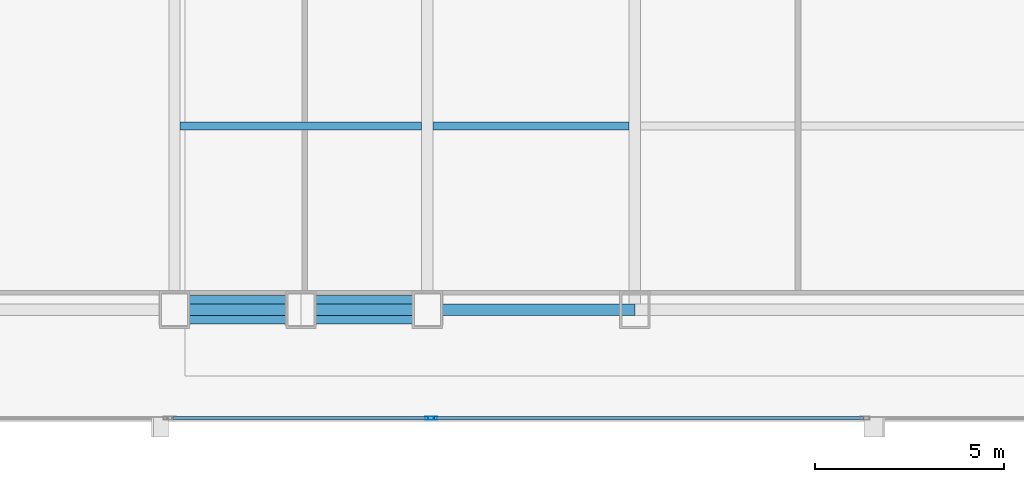
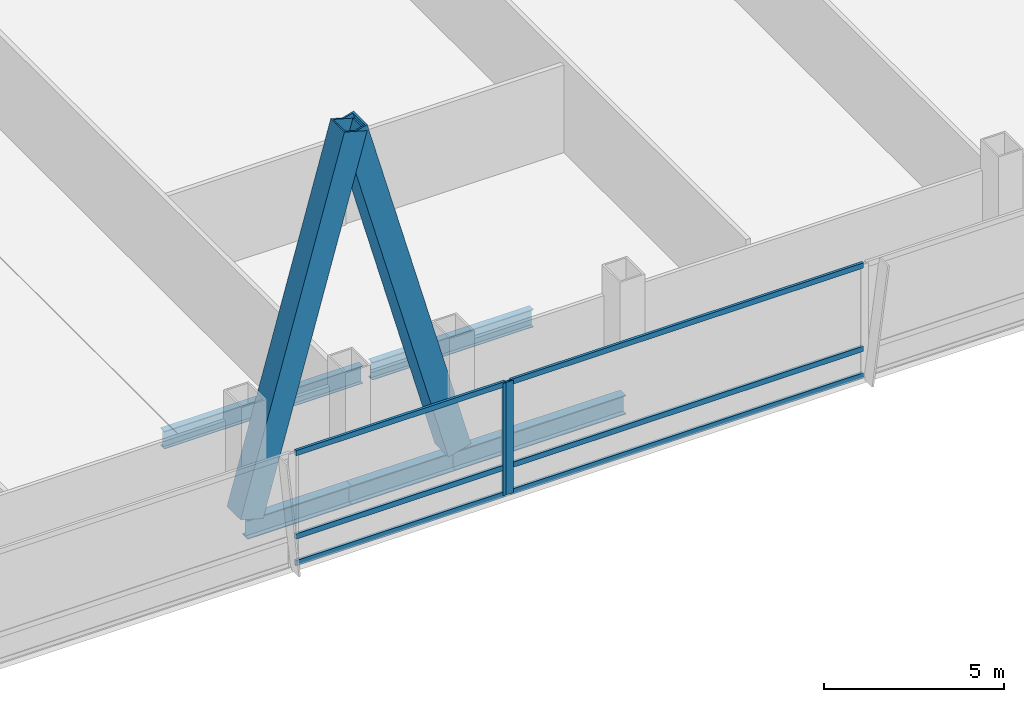
# One storey, part 8 of 37: 10 members, 5 beams, 2 elements without a shape of their own.
"""IFC4 building model written with IfcOpenShell, lengths in metres."""

from ifc_helpers import new_model, si_unit, direction, frame, origin, origin_2d, place, context, subcontext, project, spatial, hollow_rectangle, i_section, extrude, material, material_profile, profile_set, type_object, element, aggregate, save


model = new_model("IFC4")

# Units and contexts
model_context = context("Model", 3, precision=1e-05, world=origin(), true_north=direction((0.0, 1.0)))
body_context = subcontext(model_context, "Body", "Model", "MODEL_VIEW")
ifc_project = project(units=[si_unit("LENGTHUNIT", "METRE"), si_unit("AREAUNIT", "SQUARE_METRE"), si_unit("VOLUMEUNIT", "CUBIC_METRE"), si_unit("PLANEANGLEUNIT", "RADIAN"), si_unit("MASSUNIT", "GRAM", prefix="KILO")], contexts=[model_context])

# Site, building, storey
site_placement = place(None, origin())
site = spatial("IfcSite", under=ifc_project, at=site_placement, CompositionType="ELEMENT")
building_placement = place(site_placement, origin())
building = spatial("IfcBuilding", under=site, at=building_placement, Name="Khoronbel Lancet Exchange", CompositionType="ELEMENT")
storey_placement = place(building_placement, frame((0.0, 0.0, 61.800048828125)))
storey = spatial("IfcBuildingStorey", under=building, at=storey_placement, Name="L14", CompositionType="ELEMENT", Elevation=61.800048828125)

# Beams
ifc_material_1 = material(Name="Steel S355", Category="steel")
ifc_material_profile_1 = material_profile(ifc_material_1, i_section(OverallWidth=0.219970703125, OverallDepth=0.60009765625, WebThickness=0.011962890625, FlangeThickness=0.01904296875, at=origin_2d()), Name="IPE 600")
ifc_profile_set_1 = profile_set([ifc_material_profile_1], Name="Steel S355")
beam_type_1 = type_object("IfcBeamType", Name="BM-BJ1", PredefinedType="JOIST", material=ifc_profile_set_1)
beam_1_placement = place(storey_placement, frame((18.375, 15.0, -0.47998046875), z_axis=(1.0, 0.0, 0.0), x_axis=(0.0, 1.0, 0.0)))
element("IfcBeam", 1, at=beam_1_placement, inside=storey, type_object=beam_type_1, Name="Level L14 secondary composite joist J01", PredefinedType="JOIST", context=body_context, shape_type="SweptSolid", body=[
    extrude(i_section(OverallWidth=0.219970703125, OverallDepth=0.60009765625, WebThickness=0.011962890625, FlangeThickness=0.01904296875, at=origin_2d()), origin(), (0.0, 0.0, 1.0), 6.375),
])
beam_2_placement = place(storey_placement, frame((25.050048828125, 15.0, -0.47998046875), z_axis=(1.0, 0.0, 0.0), x_axis=(0.0, 1.0, 0.0)))
element("IfcBeam", 2, at=beam_2_placement, inside=storey, type_object=beam_type_1, Name="Level L14 secondary composite joist J02", PredefinedType="JOIST", context=body_context, shape_type="SweptSolid", body=[
    extrude(i_section(OverallWidth=0.219970703125, OverallDepth=0.60009765625, WebThickness=0.011962890625, FlangeThickness=0.01904296875, at=origin_2d()), origin(), (0.0, 0.0, 1.0), 5.175048828125),
])
ifc_material_profile_2 = material_profile(ifc_material_1, i_section(OverallWidth=0.300048828125, OverallDepth=0.64990234375, WebThickness=0.01611328125, FlangeThickness=0.031005859375, at=origin_2d()), Name="HEB 650")
ifc_profile_set_2 = profile_set([ifc_material_profile_2], Name="Steel S355")
beam_type_2 = type_object("IfcBeamType", Name="BM-BSP1", PredefinedType="SPANDREL", material=ifc_profile_set_2)
for number, where, z_axis, x_axis, name in (
    (3, (18.22509765625, 10.14990234375, -0.505126953125), (1.0, 0.0, 0.0), (0.0, 1.0, 0.0), "Level L14 perimeter spandrel beam SP02"),
    (4, (21.5625, 10.14990234375, -0.505126953125), (1.0, 0.0, 0.0), (0.0, 1.0, 0.0), "Level L14 perimeter spandrel beam SP03"),
):
    element("IfcBeam", number, at=place(storey_placement, frame(where, z_axis=z_axis, x_axis=x_axis)), inside=storey, type_object=beam_type_2, Name=name, PredefinedType="SPANDREL", context=body_context, shape_type="SweptSolid", body=[
        extrude(i_section(OverallWidth=0.300048828125, OverallDepth=0.64990234375, WebThickness=0.01611328125, FlangeThickness=0.031005859375, at=origin_2d()), origin(), (0.0, 0.0, 1.0), 3.33740234375),
    ])
beam_3_placement = place(storey_placement, frame((24.89990234375, 10.14990234375, -0.505126953125), z_axis=(1.0, 0.0, 0.0), x_axis=(0.0, 1.0, 0.0)))
element("IfcBeam", 5, at=beam_3_placement, inside=storey, type_object=beam_type_2, Name="Level L14 perimeter spandrel beam SP04", PredefinedType="SPANDREL", context=body_context, shape_type="SweptSolid", body=[
    extrude(i_section(OverallWidth=0.300048828125, OverallDepth=0.64990234375, WebThickness=0.01611328125, FlangeThickness=0.031005859375, at=origin_2d()), origin(), (0.0, 0.0, 1.0), 5.47509765625),
])

# Curtain wall, member
ifc_material_2 = material(Name="Low-E Solar Control Insulating Glass", Category="glass")
curtain_wall_type = type_object("IfcCurtainWallType", Name="CW-1", PredefinedType="NOTDEFINED", material=ifc_material_2)
curtain_wall_1_placement = place(storey_placement, origin())
curtain_wall_1 = element("IfcCurtainWall", 6, at=curtain_wall_1_placement, inside=storey, type_object=curtain_wall_type, Name="Unitised curtain wall CW-L14-SWB", PredefinedType="NOTDEFINED")
ifc_material_3 = material(Name="Bronze-Anodised Aluminium 6063-T6", Category="aluminium")
ifc_material_profile_3 = material_profile(ifc_material_3, hollow_rectangle(XDim=0.0849609375, YDim=0.239990234375, WallThickness=0.006103515625, at=origin_2d()), Name="ALU MULLION 85x240")
ifc_profile_set_3 = profile_set([ifc_material_profile_3], Name="Bronze-Anodised Aluminium 6063-T6")
member_type_1 = type_object("IfcMemberType", Name="MEM-CWM1", PredefinedType="MULLION", material=ifc_profile_set_3)
member_1_placement = place(storey_placement, frame((24.95751953125, 7.2900390625, 0.0), z_axis=(0.0, 0.0, 1.0), x_axis=(0.0, 1.0, 0.0)))
member_1 = element("IfcMember", 7, at=member_1_placement, type_object=member_type_1, Name="CW1 mullion 2", PredefinedType="MULLION", context=body_context, shape_type="SweptSolid", body=[
    extrude(hollow_rectangle(XDim=0.0849609375, YDim=0.239990234375, WallThickness=0.006103515625, at=origin_2d()), origin(), (0.0, 0.0, 1.0), 3.820068359375),
])

curtain_wall_2_placement = place(storey_placement, origin())
curtain_wall_2 = element("IfcCurtainWall", 8, at=curtain_wall_2_placement, inside=storey, type_object=curtain_wall_type, Name="Unitised curtain wall CW-L14-SCV", PredefinedType="NOTDEFINED")
member_2_placement = place(storey_placement, frame((25.04248046875, 7.2900390625, 0.0), z_axis=(0.0, 0.0, 1.0), x_axis=(0.0, 1.0, 0.0)))
member_2 = element("IfcMember", 9, at=member_2_placement, type_object=member_type_1, Name="CW1 mullion 1", PredefinedType="MULLION", context=body_context, shape_type="SweptSolid", body=[
    extrude(hollow_rectangle(XDim=0.0849609375, YDim=0.239990234375, WallThickness=0.006103515625, at=origin_2d()), origin(), (0.0, 0.0, 1.0), 3.820068359375),
])

# Member
ifc_material_profile_4 = material_profile(ifc_material_3, hollow_rectangle(XDim=0.0849609375, YDim=0.179931640625, WallThickness=0.0048828125, at=origin_2d()), Name="ALU TRANSOM 85x180")
ifc_profile_set_4 = profile_set([ifc_material_profile_4], Name="Bronze-Anodised Aluminium 6063-T6")
member_type_2 = type_object("IfcMemberType", Name="MEM-CWT1", PredefinedType="USERDEFINED", material=ifc_profile_set_4)
member_3_placement = place(storey_placement, frame((18.18505859375, 7.2900390625, 0.04248046875), z_axis=(1.0, 0.0, 0.0), x_axis=(0.0, 1.0, 0.0)))
member_3 = element("IfcMember", 10, at=member_3_placement, type_object=member_type_2, Name="CW1 transom 1.1", ObjectType="TRANSOM", PredefinedType="USERDEFINED", context=body_context, shape_type="SweptSolid", body=[
    extrude(hollow_rectangle(XDim=0.0849609375, YDim=0.179931640625, WallThickness=0.0048828125, at=origin_2d()), origin(), (0.0, 0.0, 1.0), 6.72998046875),
])

member_4_placement = place(storey_placement, frame((18.18505859375, 7.2900390625, 0.949951171875), z_axis=(1.0, 0.0, 0.0), x_axis=(0.0, 1.0, 0.0)))
member_4 = element("IfcMember", 11, at=member_4_placement, type_object=member_type_2, Name="CW1 transom 1.2", ObjectType="TRANSOM", PredefinedType="USERDEFINED", context=body_context, shape_type="SweptSolid", body=[
    extrude(hollow_rectangle(XDim=0.0849609375, YDim=0.179931640625, WallThickness=0.0048828125, at=origin_2d()), origin(), (0.0, 0.0, 1.0), 6.72998046875),
])

member_5_placement = place(storey_placement, frame((18.18505859375, 7.2900390625, 3.77734375), z_axis=(1.0, 0.0, 0.0), x_axis=(0.0, 1.0, 0.0)))
member_5 = element("IfcMember", 12, at=member_5_placement, type_object=member_type_2, Name="CW1 transom 1.3", ObjectType="TRANSOM", PredefinedType="USERDEFINED", context=body_context, shape_type="SweptSolid", body=[
    extrude(hollow_rectangle(XDim=0.0849609375, YDim=0.179931640625, WallThickness=0.0048828125, at=origin_2d()), origin(), (0.0, 0.0, 1.0), 6.72998046875),
])

aggregate(curtain_wall_1, [member_1, member_3, member_4, member_5])

member_6_placement = place(storey_placement, frame((25.0849609375, 7.2900390625, 0.04248046875), z_axis=(1.0, 0.0, 0.0), x_axis=(0.0, 1.0, 0.0)))
member_6 = element("IfcMember", 13, at=member_6_placement, type_object=member_type_2, Name="CW1 transom 1.1", ObjectType="TRANSOM", PredefinedType="USERDEFINED", context=body_context, shape_type="SweptSolid", body=[
    extrude(hollow_rectangle(XDim=0.0849609375, YDim=0.179931640625, WallThickness=0.0048828125, at=origin_2d()), origin(), (0.0, 0.0, 1.0), 11.322509765625),
])

member_7_placement = place(storey_placement, frame((25.0849609375, 7.2900390625, 0.949951171875), z_axis=(1.0, 0.0, 0.0), x_axis=(0.0, 1.0, 0.0)))
member_7 = element("IfcMember", 14, at=member_7_placement, type_object=member_type_2, Name="CW1 transom 1.2", ObjectType="TRANSOM", PredefinedType="USERDEFINED", context=body_context, shape_type="SweptSolid", body=[
    extrude(hollow_rectangle(XDim=0.0849609375, YDim=0.179931640625, WallThickness=0.0048828125, at=origin_2d()), origin(), (0.0, 0.0, 1.0), 11.322509765625),
])

member_8_placement = place(storey_placement, frame((25.0849609375, 7.2900390625, 3.77734375), z_axis=(1.0, 0.0, 0.0), x_axis=(0.0, 1.0, 0.0)))
member_8 = element("IfcMember", 15, at=member_8_placement, type_object=member_type_2, Name="CW1 transom 1.3", ObjectType="TRANSOM", PredefinedType="USERDEFINED", context=body_context, shape_type="SweptSolid", body=[
    extrude(hollow_rectangle(XDim=0.0849609375, YDim=0.179931640625, WallThickness=0.0048828125, at=origin_2d()), origin(), (0.0, 0.0, 1.0), 11.322509765625),
])

aggregate(curtain_wall_2, [member_2, member_6, member_7, member_8])

# Members
ifc_material_4 = material(Name="Steel S460", Category="steel")
ifc_material_profile_5 = material_profile(ifc_material_4, hollow_rectangle(XDim=0.760009765625, YDim=0.760009765625, WallThickness=0.054931640625, at=origin_2d()), Name="BOX 760x760x55")
ifc_profile_set_5 = profile_set([ifc_material_profile_5], Name="Steel S460")
member_type_3 = type_object("IfcMemberType", Name="MEM-MB1", PredefinedType="BRACE", material=ifc_profile_set_5)
for number, where, z_axis, x_axis, name in (
    (16, (18.22509765625, 10.14990234375, 0.0), (0.267947134133, 0.0, 0.963433616452), (0.0, 1.0, 0.0), "Perimeter lancet brace tier 4 S-W-L"),
    (17, (24.89990234375, 10.14990234375, 0.0), (-0.267947134133, 0.0, 0.963433616452), (0.0, -1.0, 0.0), "Perimeter lancet brace tier 4 S-W-R"),
):
    element("IfcMember", number, at=place(storey_placement, frame(where, z_axis=z_axis, x_axis=x_axis)), inside=storey, type_object=member_type_3, Name=name, PredefinedType="BRACE", context=body_context, shape_type="SweptSolid", body=[
        extrude(hollow_rectangle(XDim=0.760009765625, YDim=0.760009765625, WallThickness=0.054931640625, at=origin_2d()), origin(), (0.0, 0.0, 1.0), 12.45556640625),
    ])

save(model, "model.ifc")
